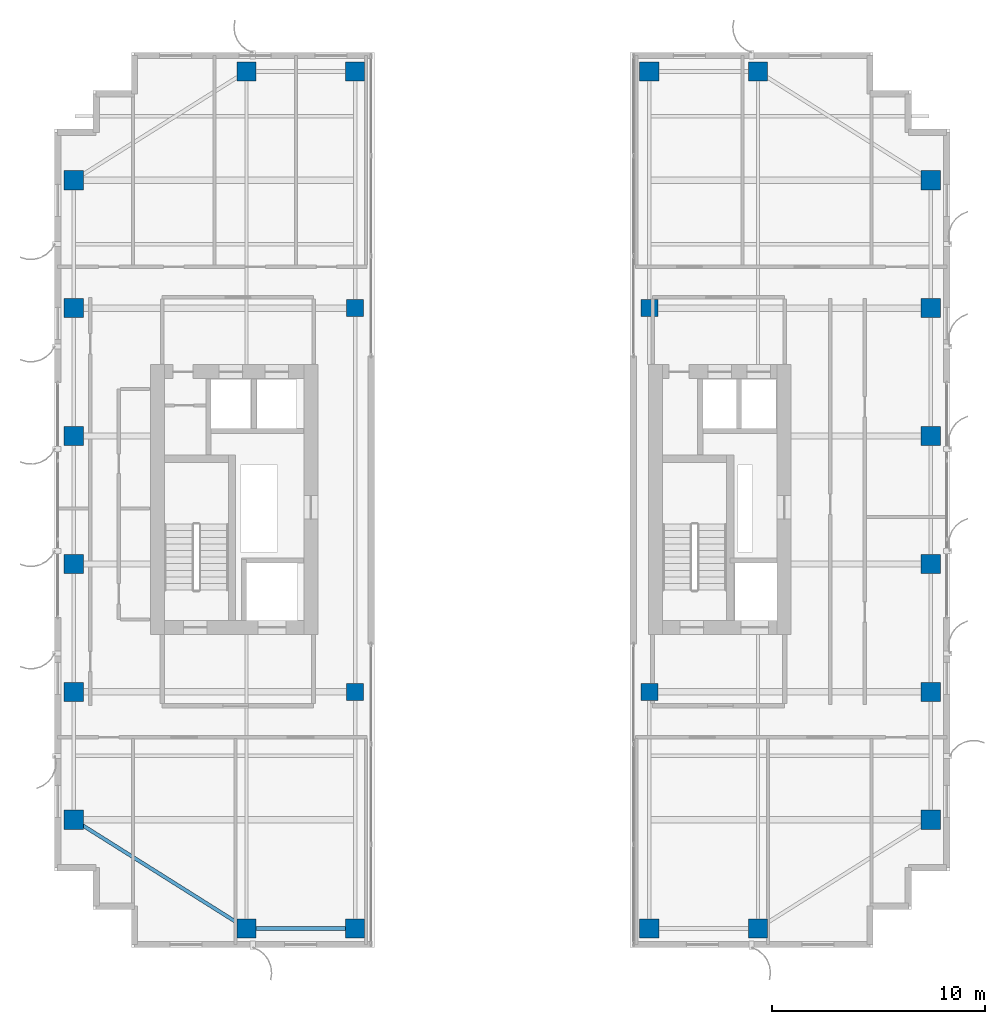
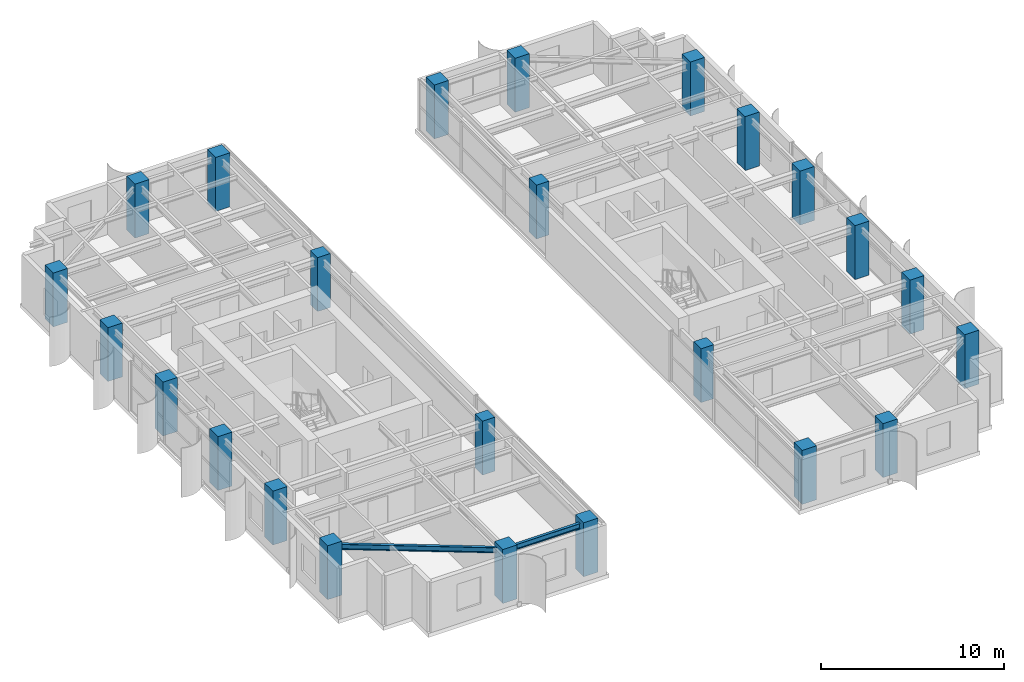
# One storey, part 1 of 22: 24 columns, 2 beams.
"""IFC4 building model written with IfcOpenShell, lengths in metres."""

from ifc_helpers import new_model, si_unit, direction, frame, origin, origin_2d, place, context, subcontext, project, spatial, rectangle, i_section, extrude, source, transform, mapped, material, material_profile, profile_set, type_object, element, save


model = new_model("IFC4")

# Units and contexts
model_context = context("Model", 3, precision=1e-05, world=origin(), true_north=direction((0.0, 1.0)))
body_context = subcontext(model_context, "Body", "Model", "MODEL_VIEW")
ifc_project = project(units=[si_unit("LENGTHUNIT", "METRE"), si_unit("AREAUNIT", "SQUARE_METRE"), si_unit("VOLUMEUNIT", "CUBIC_METRE"), si_unit("PLANEANGLEUNIT", "RADIAN"), si_unit("MASSUNIT", "GRAM", prefix="KILO")], contexts=[model_context])

# Site, building, storey
site_placement = place(None, origin())
site = spatial("IfcSite", under=ifc_project, at=site_placement, CompositionType="ELEMENT")
building_placement = place(site_placement, origin())
building = spatial("IfcBuilding", under=site, at=building_placement, Name="Khoralis Quay Care Tower", CompositionType="ELEMENT")
storey_placement = place(building_placement, frame((0.0, 0.0, 202.5)))
storey = spatial("IfcBuildingStorey", under=building, at=storey_placement, Name="L53", CompositionType="ELEMENT", Elevation=202.5)

# Columns
ifc_material_1 = material(Name="Concrete C65/80", Category="concrete")
ifc_material_profile_1 = material_profile(ifc_material_1, rectangle(XDim=0.89990234375, YDim=0.89990234375, at=origin_2d()), Name="Concrete C65/80")
ifc_profile_set_1 = profile_set([ifc_material_profile_1], Name="Concrete C65/80")
column_type_1 = type_object("IfcColumnType", Name="COL-C900", PredefinedType="COLUMN", material=ifc_profile_set_1)
shared_shape_1 = source(origin(), body_context, "Body", "SweptSolid", [
    extrude(rectangle(XDim=0.89990234375, YDim=0.89990234375, at=origin_2d()), origin(), (0.0, 0.0, 1.0), 3.60009765625),
])
for number, where, z_axis, x_axis, name in (
    (1, (12.0, 0.89990234375, 0.0), (0.0, 0.0, 1.0), (1.0, 0.0, 0.0), "COL-TWR-L53-01"),
    (2, (12.0, 41.10009765625, 0.0), (0.0, 0.0, 1.0), (1.0, 0.0, 0.0), "COL-TWR-L53-02"),
    (3, (17.10009765625, 0.89990234375, 0.0), (0.0, 0.0, 1.0), (1.0, 0.0, 0.0), "COL-TWR-L53-03"),
    (4, (17.10009765625, 41.10009765625, 0.0), (0.0, 0.0, 1.0), (1.0, 0.0, 0.0), "COL-TWR-L53-04"),
    (5, (30.89990234375, 0.89990234375, 0.0), (0.0, 0.0, 1.0), (1.0, 0.0, 0.0), "COL-TWR-L53-05"),
    (6, (30.89990234375, 41.10009765625, 0.0), (0.0, 0.0, 1.0), (1.0, 0.0, 0.0), "COL-TWR-L53-06"),
    (7, (36.0, 0.89990234375, 0.0), (0.0, 0.0, 1.0), (1.0, 0.0, 0.0), "COL-TWR-L53-07"),
    (8, (36.0, 41.10009765625, 0.0), (0.0, 0.0, 1.0), (1.0, 0.0, 0.0), "COL-TWR-L53-08"),
    (9, (3.89990234375, 6.0, 0.0), (0.0, 0.0, 1.0), (1.0, 0.0, 0.0), "COL-TWR-L53-09"),
    (10, (44.10009765625, 6.0, 0.0), (0.0, 0.0, 1.0), (1.0, 0.0, 0.0), "COL-TWR-L53-10"),
    (11, (3.89990234375, 12.0, 0.0), (0.0, 0.0, 1.0), (1.0, 0.0, 0.0), "COL-TWR-L53-11"),
    (12, (44.10009765625, 12.0, 0.0), (0.0, 0.0, 1.0), (1.0, 0.0, 0.0), "COL-TWR-L53-12"),
    (13, (3.89990234375, 18.0, 0.0), (0.0, 0.0, 1.0), (1.0, 0.0, 0.0), "COL-TWR-L53-13"),
    (14, (44.10009765625, 18.0, 0.0), (0.0, 0.0, 1.0), (1.0, 0.0, 0.0), "COL-TWR-L53-14"),
    (15, (3.89990234375, 24.0, 0.0), (0.0, 0.0, 1.0), (1.0, 0.0, 0.0), "COL-TWR-L53-15"),
    (16, (44.10009765625, 24.0, 0.0), (0.0, 0.0, 1.0), (1.0, 0.0, 0.0), "COL-TWR-L53-16"),
    (17, (3.89990234375, 30.0, 0.0), (0.0, 0.0, 1.0), (1.0, 0.0, 0.0), "COL-TWR-L53-17"),
    (18, (44.10009765625, 30.0, 0.0), (0.0, 0.0, 1.0), (1.0, 0.0, 0.0), "COL-TWR-L53-18"),
    (19, (3.89990234375, 36.0, 0.0), (0.0, 0.0, 1.0), (1.0, 0.0, 0.0), "COL-TWR-L53-19"),
    (20, (44.10009765625, 36.0, 0.0), (0.0, 0.0, 1.0), (1.0, 0.0, 0.0), "COL-TWR-L53-20"),
):
    element("IfcColumn", number, at=place(storey_placement, frame(where, z_axis=z_axis, x_axis=x_axis)), inside=storey, type_object=column_type_1, Name=name, PredefinedType="COLUMN", context=body_context, shape_type="MappedRepresentation", body=[
        mapped(shared_shape_1, transform((0.0, 0.0, 0.0), scale=1.0)),
    ])
ifc_material_2 = material(Name="Concrete C50/60", Category="concrete")
ifc_material_profile_2 = material_profile(ifc_material_2, rectangle(XDim=0.800048828125, YDim=0.800048828125, at=origin_2d()), Name="Concrete C50/60")
ifc_profile_set_2 = profile_set([ifc_material_profile_2], Name="Concrete C50/60")
column_type_2 = type_object("IfcColumnType", Name="COL-C800", PredefinedType="COLUMN", material=ifc_profile_set_2)
shared_shape_2 = source(origin(), body_context, "Body", "SweptSolid", [
    extrude(rectangle(XDim=0.800048828125, YDim=0.800048828125, at=origin_2d()), origin(), (0.0, 0.0, 1.0), 3.60009765625),
])
for number, where, z_axis, x_axis, name in (
    (21, (17.10009765625, 12.0, 0.0), (0.0, 0.0, 1.0), (1.0, 0.0, 0.0), "COL-TWR-L53-21"),
    (22, (17.10009765625, 30.0, 0.0), (0.0, 0.0, 1.0), (1.0, 0.0, 0.0), "COL-TWR-L53-22"),
    (23, (30.89990234375, 12.0, 0.0), (0.0, 0.0, 1.0), (1.0, 0.0, 0.0), "COL-TWR-L53-23"),
    (24, (30.89990234375, 30.0, 0.0), (0.0, 0.0, 1.0), (1.0, 0.0, 0.0), "COL-TWR-L53-24"),
):
    element("IfcColumn", number, at=place(storey_placement, frame(where, z_axis=z_axis, x_axis=x_axis)), inside=storey, type_object=column_type_2, Name=name, PredefinedType="COLUMN", context=body_context, shape_type="MappedRepresentation", body=[
        mapped(shared_shape_2, transform((0.0, 0.0, 0.0), scale=1.0)),
    ])

# Beams
ifc_material_3 = material(Name="Steel S355", Category="steel")
ifc_material_profile_3 = material_profile(ifc_material_3, i_section(OverallWidth=0.169921875, OverallDepth=0.360107421875, WebThickness=0.008056640625, FlangeThickness=0.0126953125, FilletRadius=0.01806640625, at=origin_2d()), Name="Steel S355")
ifc_profile_set_3 = profile_set([ifc_material_profile_3], Name="Steel S355")
beam_type = type_object("IfcBeamType", Name="BM-IPE360", PredefinedType="SPANDREL", material=ifc_profile_set_3)
shared_shape_3 = source(origin(), body_context, "Body", "SweptSolid", [
    extrude(i_section(OverallWidth=0.169921875, OverallDepth=0.360107421875, WebThickness=0.008056640625, FlangeThickness=0.0126953125, FilletRadius=0.01806640625, at=origin_2d()), origin(), (0.0, 0.0, 1.0), 5.10009765625),
])
beam_1_placement = place(storey_placement, frame((12.0, 0.89990234375, 3.159912109375), z_axis=(1.0, 0.0, 0.0), x_axis=(0.0, 1.0, 0.0)))
element("IfcBeam", 25, at=beam_1_placement, inside=storey, type_object=beam_type, Name="BM-TSP-L53-01", PredefinedType="SPANDREL", context=body_context, shape_type="MappedRepresentation", body=[
    mapped(shared_shape_3, transform((0.0, 0.0, 0.0), scale=1.0)),
])
shared_shape_4 = source(origin(), body_context, "Body", "SweptSolid", [
    extrude(i_section(OverallWidth=0.169921875, OverallDepth=0.360107421875, WebThickness=0.008056640625, FlangeThickness=0.0126953125, FilletRadius=0.01806640625, at=origin_2d()), origin(), (0.0, 0.0, 1.0), 9.572021484375),
])
beam_2_placement = place(storey_placement, frame((12.0, 0.89990234375, 3.159912109375), z_axis=(-0.846231136359, 0.532815975602, 0.0), x_axis=(-0.532815975602, -0.846231136359, 0.0)))
element("IfcBeam", 26, at=beam_2_placement, inside=storey, type_object=beam_type, Name="BM-TCR-L53-15", PredefinedType="SPANDREL", context=body_context, shape_type="MappedRepresentation", body=[
    mapped(shared_shape_4, transform((0.0, 0.0, 0.0), scale=1.0)),
])

save(model, "model.ifc")
